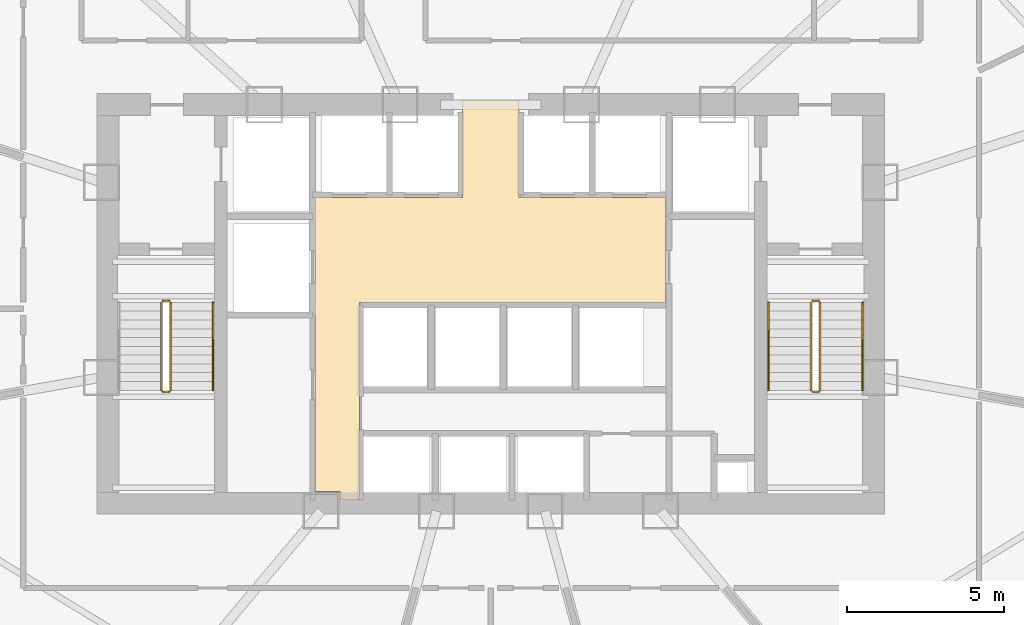
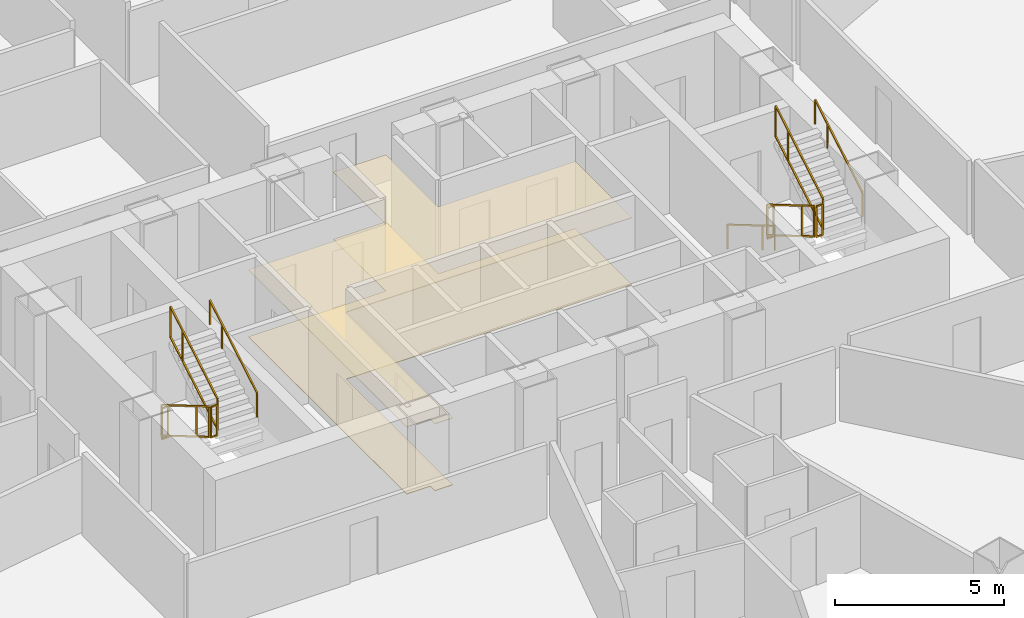
# One storey, part 36 of 38: 11 railings, 2 coverings.
"""IFC4 building model written with IfcOpenShell, lengths in metres."""

from ifc_helpers import new_model, si_unit, direction, frame, origin, origin_2d, place, context, subcontext, project, spatial, polyline, rectangle, outline, extrude, material, layer, layer_set, type_object, element, save


model = new_model("IFC4")

# Units and contexts
model_context = context("Model", 3, precision=1e-05, world=origin(), true_north=direction((0.0, 1.0)))
body_context = subcontext(model_context, "Body", "Model", "MODEL_VIEW")
ifc_project = project(units=[si_unit("LENGTHUNIT", "METRE"), si_unit("AREAUNIT", "SQUARE_METRE"), si_unit("VOLUMEUNIT", "CUBIC_METRE"), si_unit("PLANEANGLEUNIT", "RADIAN"), si_unit("MASSUNIT", "GRAM", prefix="KILO"), si_unit("THERMODYNAMICTEMPERATUREUNIT", "KELVIN"), si_unit("POWERUNIT", "WATT")], contexts=[model_context])

# Site, building, storey
site_placement = place(None, origin())
site = spatial("IfcSite", under=ifc_project, at=site_placement, CompositionType="ELEMENT")
building_placement = place(site_placement, origin())
building = spatial("IfcBuilding", under=site, at=building_placement, Name="Yunzhuo Pagoda Commons", CompositionType="ELEMENT")
storey_placement = place(building_placement, frame((0.0, 0.0, 30.39990234375)))
storey = spatial("IfcBuildingStorey", under=building, at=storey_placement, Name="L07", CompositionType="ELEMENT", Elevation=30.39990234375)

# Coverings
ifc_material_1 = material(Name="Mineral fibre acoustic ceiling board")
ifc_layer_1 = layer(ifc_material_1, 0.02490234375)
ifc_layer_set_1 = layer_set([ifc_layer_1], Name="Mineral fibre acoustic ceiling board")
covering_type_1 = type_object("IfcCoveringType", Name="COV-CL1 Ceiling 25", PredefinedType="CEILING", material=ifc_layer_set_1)
covering_1_placement = place(storey_placement, frame((0.0, 0.0, 2.420166015625)))
element("IfcCovering", 1, at=covering_1_placement, inside=storey, type_object=covering_type_1, Name="L07 lift lobby acoustic ceiling", PredefinedType="CEILING", context=body_context, shape_type="SweptSolid", body=[
    extrude(outline(polyline([(43.207763671875, 27.85009765625), (43.201904296875, 27.864013671875), (43.187744140625, 27.8701171875), (42.39990234375, 27.8701171875), (42.39990234375, 33.89990234375), (42.39990234375, 37.25), (47.10009765625, 37.25), (47.10009765625, 40.35009765625), (48.89990234375, 40.35009765625), (48.89990234375, 37.25), (53.580078125, 37.25), (53.580078125, 33.89990234375), (43.820068359375, 33.89990234375), (43.820068359375, 27.60009765625), (43.207763671875, 27.60009765625), (43.207763671875, 27.85009765625)])), origin(), (0.0, 0.0, 1.0), 0.02490234375),
])
ifc_material_2 = material(Name="Porcelain ceramic floor tile")
ifc_layer_2 = layer(ifc_material_2, 0.02001953125)
ifc_layer_set_2 = layer_set([ifc_layer_2], Name="Porcelain ceramic floor tile")
covering_type_2 = type_object("IfcCoveringType", Name="COV-FL1 Flooring 20", PredefinedType="FLOORING", material=ifc_layer_set_2)
covering_2_placement = place(storey_placement, origin())
element("IfcCovering", 2, at=covering_2_placement, inside=storey, type_object=covering_type_2, Name="L07 lift lobby flooring", PredefinedType="FLOORING", context=body_context, shape_type="SweptSolid", body=[
    extrude(outline(polyline([(43.207763671875, 27.85009765625), (43.201904296875, 27.864013671875), (43.187744140625, 27.8701171875), (42.39990234375, 27.8701171875), (42.39990234375, 33.89990234375), (42.39990234375, 37.25), (47.10009765625, 37.25), (47.10009765625, 40.35009765625), (48.89990234375, 40.35009765625), (48.89990234375, 37.25), (53.580078125, 37.25), (53.580078125, 33.89990234375), (43.820068359375, 33.89990234375), (43.820068359375, 27.60009765625), (43.207763671875, 27.60009765625), (43.207763671875, 27.85009765625)])), origin(), (0.0, 0.0, 1.0), 0.02001953125),
])

# Railings
ifc_material_3 = material(Name="Anodized aluminium 6063-T6", Category="aluminium")
railing_type_1 = type_object("IfcRailingType", Name="GR-ST1 Stair Well Guardrail 1150", PredefinedType="GUARDRAIL", material=ifc_material_3)
railing_1_placement = place(storey_placement, frame((37.5, 33.89990234375, 0.1650390625)))
element("IfcRailing", 3, at=railing_1_placement, inside=storey, type_object=railing_type_1, Name="L07 ST1 stair guard 1", PredefinedType="GUARDRAIL", context=body_context, shape_type="SweptSolid", body=[
    extrude(rectangle(XDim=0.048095703125, YDim=0.048095703125, at=origin_2d()), frame((0.0, 0.0, 1.1259765625), z_axis=(0.0, -0.861503254194, 0.507752048753), x_axis=(1.0, 0.0, 0.0)), (0.0, 0.0, 1.0), 3.25),
    extrude(rectangle(XDim=0.048095703125, YDim=0.048095703125, at=origin_2d()), frame((0.0, 0.0, 0.02392578125), z_axis=(0.0, -0.861503254194, 0.507752048753), x_axis=(1.0, 0.0, 0.0)), (0.0, 0.0, 1.0), 3.25),
    extrude(rectangle(XDim=0.0419921875, YDim=0.0419921875, at=origin_2d()), origin(), (0.0, 0.0, 1.0), 1.101806640625),
    extrude(rectangle(XDim=0.0419921875, YDim=0.0419921875, at=origin_2d()), frame((0.0, -2.067626953125, 1.218505859375)), (0.0, 0.0, 1.0), 1.101806640625),
    extrude(rectangle(XDim=0.0419921875, YDim=0.0419921875, at=origin_2d()), frame((0.0, -2.7998046875, 1.650146484375)), (0.0, 0.0, 1.0), 1.101806640625),
])
railing_2_placement = place(storey_placement, frame((37.550048828125, 31.050048828125, 1.815185546875)))
element("IfcRailing", 4, at=railing_2_placement, inside=storey, type_object=railing_type_1, Name="L07 ST1 stair guard 2", PredefinedType="GUARDRAIL", context=body_context, shape_type="SweptSolid", body=[
    extrude(rectangle(XDim=0.048095703125, YDim=0.048095703125, at=origin_2d()), frame((0.0, 0.0, 1.1259765625), z_axis=(1.0, 0.0, 0.0), x_axis=(0.0, 1.0, 0.0)), (0.0, 0.0, 1.0), 0.199951171875),
    extrude(rectangle(XDim=0.048095703125, YDim=0.048095703125, at=origin_2d()), frame((0.0, 0.0, 0.02392578125), z_axis=(1.0, 0.0, 0.0), x_axis=(0.0, 1.0, 0.0)), (0.0, 0.0, 1.0), 0.199951171875),
    extrude(rectangle(XDim=0.0419921875, YDim=0.0419921875, at=origin_2d()), origin(), (0.0, 0.0, 1.0), 1.101806640625),
    extrude(rectangle(XDim=0.0419921875, YDim=0.0419921875, at=origin_2d()), frame((0.199951171875, 0.0, 0.0)), (0.0, 0.0, 1.0), 1.101806640625),
])
railing_3_placement = place(storey_placement, frame((37.800048828125, 31.10009765625, 1.97998046875)))
element("IfcRailing", 5, at=railing_3_placement, inside=storey, type_object=railing_type_1, Name="L07 ST1 stair guard 3", PredefinedType="GUARDRAIL", context=body_context, shape_type="SweptSolid", body=[
    extrude(rectangle(XDim=0.048095703125, YDim=0.048095703125, at=origin_2d()), frame((0.0, 0.0, 1.1259765625), z_axis=(0.0, 0.861503254194, 0.507752048753), x_axis=(-1.0, 0.0, 0.0)), (0.0, 0.0, 1.0), 3.25),
    extrude(rectangle(XDim=0.048095703125, YDim=0.048095703125, at=origin_2d()), frame((0.0, 0.0, 0.02392578125), z_axis=(0.0, 0.861503254194, 0.507752048753), x_axis=(-1.0, 0.0, 0.0)), (0.0, 0.0, 1.0), 3.25),
    extrude(rectangle(XDim=0.0419921875, YDim=0.0419921875, at=origin_2d()), origin(), (0.0, 0.0, 1.0), 1.101806640625),
    extrude(rectangle(XDim=0.0419921875, YDim=0.0419921875, at=origin_2d()), frame((0.0, 2.067626953125, 1.218505859375)), (0.0, 0.0, 1.0), 1.101806640625),
    extrude(rectangle(XDim=0.0419921875, YDim=0.0419921875, at=origin_2d()), frame((0.0, 2.7998046875, 1.650146484375)), (0.0, 0.0, 1.0), 1.101806640625),
])
railing_4_placement = place(storey_placement, frame((37.550048828125, 33.949951171875, 0.0)))
element("IfcRailing", 6, at=railing_4_placement, inside=storey, type_object=railing_type_1, Name="L07 ST1 stair guard 4", PredefinedType="GUARDRAIL", context=body_context, shape_type="SweptSolid", body=[
    extrude(rectangle(XDim=0.048095703125, YDim=0.048095703125, at=origin_2d()), frame((0.0, 0.0, 1.1259765625), z_axis=(1.0, 0.0, 0.0), x_axis=(0.0, 1.0, 0.0)), (0.0, 0.0, 1.0), 0.199951171875),
    extrude(rectangle(XDim=0.048095703125, YDim=0.048095703125, at=origin_2d()), frame((0.0, 0.0, 0.02392578125), z_axis=(1.0, 0.0, 0.0), x_axis=(0.0, 1.0, 0.0)), (0.0, 0.0, 1.0), 0.199951171875),
    extrude(rectangle(XDim=0.0419921875, YDim=0.0419921875, at=origin_2d()), origin(), (0.0, 0.0, 1.0), 1.101806640625),
    extrude(rectangle(XDim=0.0419921875, YDim=0.0419921875, at=origin_2d()), frame((0.199951171875, 0.0, 0.0)), (0.0, 0.0, 1.0), 1.101806640625),
])
railing_type_2 = type_object("IfcRailingType", Name="GR-ST2 Stair Well Guardrail 1160", PredefinedType="GUARDRAIL", material=ifc_material_3)
railing_5_placement = place(storey_placement, frame((58.199951171875, 33.89990234375, 0.1650390625)))
element("IfcRailing", 7, at=railing_5_placement, inside=storey, type_object=railing_type_2, Name="L07 ST2 stair guard 1", PredefinedType="GUARDRAIL", context=body_context, shape_type="SweptSolid", body=[
    extrude(rectangle(XDim=0.048095703125, YDim=0.048095703125, at=origin_2d()), frame((0.0, 0.0, 1.1259765625), z_axis=(0.0, -0.861503254194, 0.507752048753), x_axis=(1.0, 0.0, 0.0)), (0.0, 0.0, 1.0), 3.25),
    extrude(rectangle(XDim=0.048095703125, YDim=0.048095703125, at=origin_2d()), frame((0.0, 0.0, 0.02392578125), z_axis=(0.0, -0.861503254194, 0.507752048753), x_axis=(1.0, 0.0, 0.0)), (0.0, 0.0, 1.0), 3.25),
    extrude(rectangle(XDim=0.0419921875, YDim=0.0419921875, at=origin_2d()), origin(), (0.0, 0.0, 1.0), 1.101806640625),
    extrude(rectangle(XDim=0.0419921875, YDim=0.0419921875, at=origin_2d()), frame((0.0, -2.067626953125, 1.218505859375)), (0.0, 0.0, 1.0), 1.101806640625),
    extrude(rectangle(XDim=0.0419921875, YDim=0.0419921875, at=origin_2d()), frame((0.0, -2.7998046875, 1.650146484375)), (0.0, 0.0, 1.0), 1.101806640625),
])
railing_6_placement = place(storey_placement, frame((58.25, 31.050048828125, 1.815185546875)))
element("IfcRailing", 8, at=railing_6_placement, inside=storey, type_object=railing_type_2, Name="L07 ST2 stair guard 2", PredefinedType="GUARDRAIL", context=body_context, shape_type="SweptSolid", body=[
    extrude(rectangle(XDim=0.048095703125, YDim=0.048095703125, at=origin_2d()), frame((0.0, 0.0, 1.1259765625), z_axis=(1.0, 0.0, 0.0), x_axis=(0.0, 1.0, 0.0)), (0.0, 0.0, 1.0), 0.199951171875),
    extrude(rectangle(XDim=0.048095703125, YDim=0.048095703125, at=origin_2d()), frame((0.0, 0.0, 0.02392578125), z_axis=(1.0, 0.0, 0.0), x_axis=(0.0, 1.0, 0.0)), (0.0, 0.0, 1.0), 0.199951171875),
    extrude(rectangle(XDim=0.0419921875, YDim=0.0419921875, at=origin_2d()), origin(), (0.0, 0.0, 1.0), 1.101806640625),
    extrude(rectangle(XDim=0.0419921875, YDim=0.0419921875, at=origin_2d()), frame((0.199951171875, 0.0, 0.0)), (0.0, 0.0, 1.0), 1.101806640625),
])
railing_7_placement = place(storey_placement, frame((58.5, 31.10009765625, 1.97998046875)))
element("IfcRailing", 9, at=railing_7_placement, inside=storey, type_object=railing_type_2, Name="L07 ST2 stair guard 3", PredefinedType="GUARDRAIL", context=body_context, shape_type="SweptSolid", body=[
    extrude(rectangle(XDim=0.048095703125, YDim=0.048095703125, at=origin_2d()), frame((0.0, 0.0, 1.1259765625), z_axis=(0.0, 0.861503254194, 0.507752048753), x_axis=(-1.0, 0.0, 0.0)), (0.0, 0.0, 1.0), 3.25),
    extrude(rectangle(XDim=0.048095703125, YDim=0.048095703125, at=origin_2d()), frame((0.0, 0.0, 0.02392578125), z_axis=(0.0, 0.861503254194, 0.507752048753), x_axis=(-1.0, 0.0, 0.0)), (0.0, 0.0, 1.0), 3.25),
    extrude(rectangle(XDim=0.0419921875, YDim=0.0419921875, at=origin_2d()), origin(), (0.0, 0.0, 1.0), 1.101806640625),
    extrude(rectangle(XDim=0.0419921875, YDim=0.0419921875, at=origin_2d()), frame((0.0, 2.067626953125, 1.218505859375)), (0.0, 0.0, 1.0), 1.101806640625),
    extrude(rectangle(XDim=0.0419921875, YDim=0.0419921875, at=origin_2d()), frame((0.0, 2.7998046875, 1.650146484375)), (0.0, 0.0, 1.0), 1.101806640625),
])
railing_8_placement = place(storey_placement, frame((58.25, 33.949951171875, 0.0)))
element("IfcRailing", 10, at=railing_8_placement, inside=storey, type_object=railing_type_2, Name="L07 ST2 stair guard 4", PredefinedType="GUARDRAIL", context=body_context, shape_type="SweptSolid", body=[
    extrude(rectangle(XDim=0.048095703125, YDim=0.048095703125, at=origin_2d()), frame((0.0, 0.0, 1.1259765625), z_axis=(1.0, 0.0, 0.0), x_axis=(0.0, 1.0, 0.0)), (0.0, 0.0, 1.0), 0.199951171875),
    extrude(rectangle(XDim=0.048095703125, YDim=0.048095703125, at=origin_2d()), frame((0.0, 0.0, 0.02392578125), z_axis=(1.0, 0.0, 0.0), x_axis=(0.0, 1.0, 0.0)), (0.0, 0.0, 1.0), 0.199951171875),
    extrude(rectangle(XDim=0.0419921875, YDim=0.0419921875, at=origin_2d()), origin(), (0.0, 0.0, 1.0), 1.101806640625),
    extrude(rectangle(XDim=0.0419921875, YDim=0.0419921875, at=origin_2d()), frame((0.199951171875, 0.0, 0.0)), (0.0, 0.0, 1.0), 1.101806640625),
])
railing_type_3 = type_object("IfcRailingType", Name="HR-ST1 Stair Handrail 900", PredefinedType="HANDRAIL", material=ifc_material_3)
railing_9_placement = place(storey_placement, frame((39.14990234375, 31.10009765625, 1.97998046875)))
element("IfcRailing", 11, at=railing_9_placement, inside=storey, type_object=railing_type_3, Name="L07 ST1 stair handrail 2", PredefinedType="HANDRAIL", context=body_context, shape_type="SweptSolid", body=[
    extrude(rectangle(XDim=0.048095703125, YDim=0.048095703125, at=origin_2d()), frame((0.0, 0.0, 0.8759765625), z_axis=(0.0, 0.861503254194, 0.507752048753), x_axis=(-1.0, 0.0, 0.0)), (0.0, 0.0, 1.0), 3.25),
    extrude(rectangle(XDim=0.0419921875, YDim=0.0419921875, at=origin_2d()), origin(), (0.0, 0.0, 1.0), 0.851806640625),
    extrude(rectangle(XDim=0.0419921875, YDim=0.0419921875, at=origin_2d()), frame((0.0, 2.067626953125, 1.218505859375)), (0.0, 0.0, 1.0), 0.851806640625),
    extrude(rectangle(XDim=0.0419921875, YDim=0.0419921875, at=origin_2d()), frame((0.0, 2.7998046875, 1.650146484375)), (0.0, 0.0, 1.0), 0.851806640625),
])
railing_type_4 = type_object("IfcRailingType", Name="HR-ST2 Stair Handrail 900", PredefinedType="HANDRAIL", material=ifc_material_3)
railing_10_placement = place(storey_placement, frame((56.85009765625, 33.89990234375, 0.1650390625)))
element("IfcRailing", 12, at=railing_10_placement, inside=storey, type_object=railing_type_4, Name="L07 ST2 stair handrail 1", PredefinedType="HANDRAIL", context=body_context, shape_type="SweptSolid", body=[
    extrude(rectangle(XDim=0.048095703125, YDim=0.048095703125, at=origin_2d()), frame((0.0, 0.0, 0.8759765625), z_axis=(0.0, -0.861503254194, 0.507752048753), x_axis=(1.0, 0.0, 0.0)), (0.0, 0.0, 1.0), 3.25),
    extrude(rectangle(XDim=0.0419921875, YDim=0.0419921875, at=origin_2d()), origin(), (0.0, 0.0, 1.0), 0.851806640625),
    extrude(rectangle(XDim=0.0419921875, YDim=0.0419921875, at=origin_2d()), frame((0.0, -2.067626953125, 1.218505859375)), (0.0, 0.0, 1.0), 0.851806640625),
    extrude(rectangle(XDim=0.0419921875, YDim=0.0419921875, at=origin_2d()), frame((0.0, -2.7998046875, 1.650146484375)), (0.0, 0.0, 1.0), 0.851806640625),
])
railing_11_placement = place(storey_placement, frame((59.85009765625, 31.10009765625, 1.97998046875)))
element("IfcRailing", 13, at=railing_11_placement, inside=storey, type_object=railing_type_4, Name="L07 ST2 stair handrail 2", PredefinedType="HANDRAIL", context=body_context, shape_type="SweptSolid", body=[
    extrude(rectangle(XDim=0.048095703125, YDim=0.048095703125, at=origin_2d()), frame((0.0, 0.0, 0.8759765625), z_axis=(0.0, 0.861503254194, 0.507752048753), x_axis=(-1.0, 0.0, 0.0)), (0.0, 0.0, 1.0), 3.25),
    extrude(rectangle(XDim=0.0419921875, YDim=0.0419921875, at=origin_2d()), origin(), (0.0, 0.0, 1.0), 0.851806640625),
    extrude(rectangle(XDim=0.0419921875, YDim=0.0419921875, at=origin_2d()), frame((0.0, 2.067626953125, 1.218505859375)), (0.0, 0.0, 1.0), 0.851806640625),
    extrude(rectangle(XDim=0.0419921875, YDim=0.0419921875, at=origin_2d()), frame((0.0, 2.7998046875, 1.650146484375)), (0.0, 0.0, 1.0), 0.851806640625),
])

save(model, "model.ifc")
